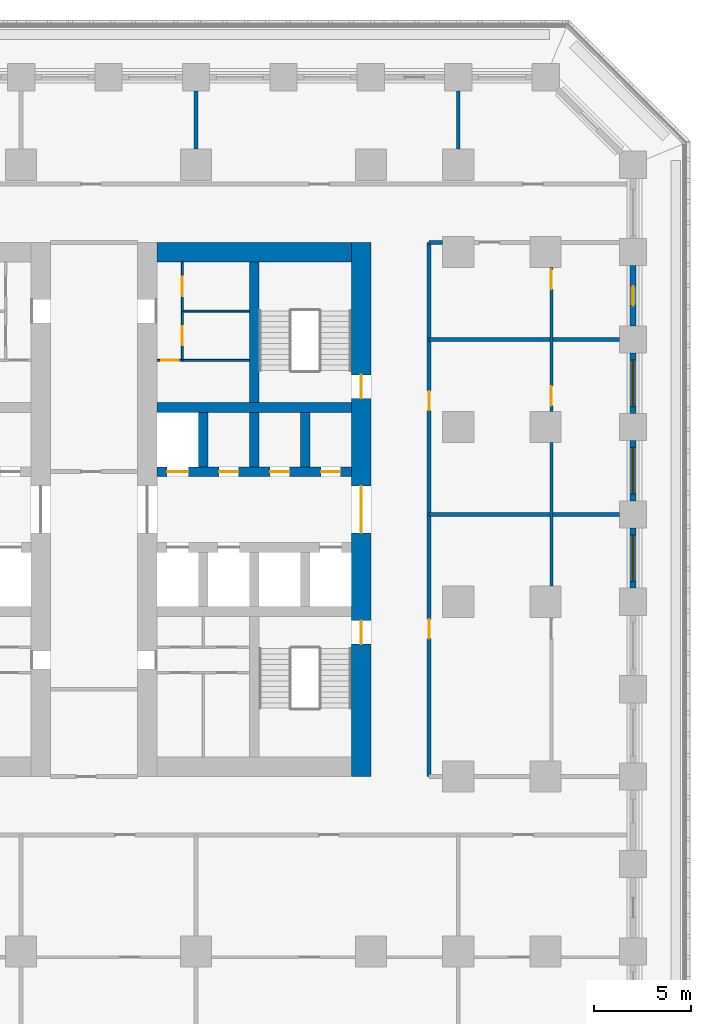
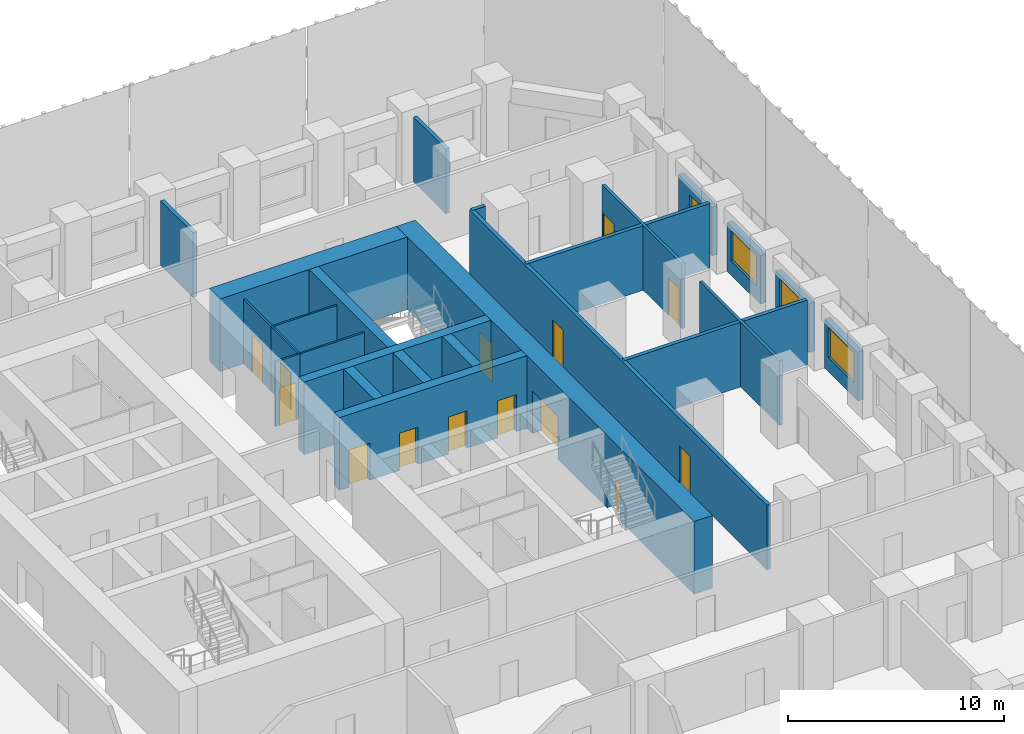
# One storey, part 7 of 14: 25 walls, 15 doors, 3 windows, 18 openings.
"""IFC4 building model written with IfcOpenShell, lengths in metres."""

from ifc_helpers import new_model, si_unit, direction, frame, frame_2d, origin, place, context, subcontext, project, spatial, rectangle, extrude, material, layer, layer_set, type_object, element, fill, save


model = new_model("IFC4")

# Units and contexts
model_context = context("Model", 3, precision=1e-05, world=origin(), true_north=direction((0.0, 1.0)))
body_context = subcontext(model_context, "Body", "Model", "MODEL_VIEW")
ifc_project = project(units=[si_unit("LENGTHUNIT", "METRE"), si_unit("AREAUNIT", "SQUARE_METRE"), si_unit("VOLUMEUNIT", "CUBIC_METRE"), si_unit("PLANEANGLEUNIT", "RADIAN"), si_unit("MASSUNIT", "GRAM", prefix="KILO")], contexts=[model_context])

# Site, building, storey
site_placement = place(None, origin())
site = spatial("IfcSite", under=ifc_project, at=site_placement, CompositionType="ELEMENT")
building_placement = place(site_placement, origin())
building = spatial("IfcBuilding", under=site, at=building_placement, Name="Corbel Stack Research Tower", CompositionType="ELEMENT")
storey_placement = place(building_placement, frame((0.0, 0.0, 58.300048828125)))
storey = spatial("IfcBuildingStorey", under=building, at=storey_placement, Name="L13", CompositionType="ELEMENT", Elevation=58.300048828125)

# Wall, openings, doors
ifc_material_1 = material(Name="Concrete C70/85", Category="concrete")
ifc_layer_1 = layer(ifc_material_1, 1.0)
ifc_layer_set_1 = layer_set([ifc_layer_1], Name="Concrete C70/85")
wall_type_1 = type_object("IfcWallType", Name="CW-1000-70", PredefinedType="SHEAR", material=ifc_layer_set_1)
wall_1_placement = place(storey_placement, frame((17.5, -9.0, 0.0), z_axis=(0.0, 0.0, 1.0), x_axis=(0.0, 1.0, 0.0)))
wall_1 = element("IfcWall", 1, at=wall_1_placement, inside=storey, type_object=wall_type_1, Name="East core wall, east face L13", PredefinedType="SHEAR", context=body_context, shape_type="SweptSolid", body=[
    extrude(rectangle(XDim=27.5, YDim=1.0, at=frame_2d((13.75, 0.0))), origin(), (0.0, 0.0, 1.0), 4.099853515625),
])
opening_1_placement = place(wall_1_placement, frame((12.550048828125, 0.0, 0.0)))
opening_1 = element("IfcOpeningElement", 2, at=opening_1_placement, cuts=wall_1, Name="Opening CD-E-E", PredefinedType="OPENING", context=body_context, shape_type="SweptSolid", body=[
    extrude(rectangle(XDim=2.39990234375, YDim=2.39990234375, at=frame_2d((1.199951171875, 1.199951171875))), frame((0.0, 0.510009765625, 0.0), z_axis=(0.0, -1.0, 0.0), x_axis=(1.0, 0.0, 0.0)), (0.0, 0.0, 1.0), 1.02001953125),
])
opening_2_placement = place(wall_1_placement, frame((6.824951171875, 0.0, 0.0)))
opening_2 = element("IfcOpeningElement", 3, at=opening_2_placement, cuts=wall_1, Name="Opening SD-ST-E1", PredefinedType="OPENING", context=body_context, shape_type="SweptSolid", body=[
    extrude(rectangle(XDim=1.199951171875, YDim=2.10009765625, at=frame_2d((0.60009765625, 1.050048828125))), frame((0.0, 0.510009765625, 0.0), z_axis=(0.0, -1.0, 0.0), x_axis=(1.0, 0.0, 0.0)), (0.0, 0.0, 1.0), 1.02001953125),
])
opening_3_placement = place(wall_1_placement, frame((19.47509765625, 0.0, 0.0)))
opening_3 = element("IfcOpeningElement", 4, at=opening_3_placement, cuts=wall_1, Name="Opening SD-ST-E2", PredefinedType="OPENING", context=body_context, shape_type="SweptSolid", body=[
    extrude(rectangle(XDim=1.199951171875, YDim=2.10009765625, at=frame_2d((0.60009765625, 1.050048828125))), frame((0.0, 0.510009765625, 0.0), z_axis=(0.0, -1.0, 0.0), x_axis=(1.0, 0.0, 0.0)), (0.0, 0.0, 1.0), 1.02001953125),
])
ifc_material_2 = material(Name="Painted steel fire door", Category="steel")
door_type_1 = type_object("IfcDoorType", Name="Lobby door pair 2400 x 2400 FD30S", OperationType="DOUBLE_DOOR_DOUBLE_SWING", PredefinedType="DOOR", material=ifc_material_2)
door_1_placement = place(opening_1_placement, origin())
door_1 = element("IfcDoor", 5, at=door_1_placement, inside=storey, type_object=door_type_1, Name="Lift lobby door E core E", OperationType="DOUBLE_DOOR_DOUBLE_SWING", OverallHeight=2.39990234375, OverallWidth=2.39990234375, PredefinedType="DOOR", context=body_context, shape_type="SweptSolid", body=[
    extrude(rectangle(XDim=2.39990234375, YDim=2.39990234375, at=frame_2d((1.199951171875, 1.199951171875))), frame((0.0, 0.02490234375, 0.0), z_axis=(0.0, -1.0, 0.0), x_axis=(1.0, 0.0, 0.0)), (0.0, 0.0, 1.0), 0.050048828125),
])
fill(opening_1, door_1)
ifc_material_3 = material(Name="Painted steel fire door", Category="steel")
door_type_2 = type_object("IfcDoorType", Name="Stair door 1200 x 2100 FD90 right hand", OperationType="SINGLE_SWING_RIGHT", PredefinedType="DOOR", material=ifc_material_3)
door_2_placement = place(opening_2_placement, frame((1.199951171875, 0.0, 0.0), z_axis=(0.0, 0.0, 1.0), x_axis=(-1.0, 0.0, 0.0)))
door_2 = element("IfcDoor", 6, at=door_2_placement, inside=storey, type_object=door_type_2, Name="Stair door ST-E1", OperationType="SINGLE_SWING_LEFT", OverallHeight=2.10009765625, OverallWidth=1.199951171875, PredefinedType="DOOR", context=body_context, shape_type="SweptSolid", body=[
    extrude(rectangle(XDim=1.199951171875, YDim=2.10009765625, at=frame_2d((0.60009765625, 1.050048828125))), frame((0.0, 0.02490234375, 0.0), z_axis=(0.0, -1.0, 0.0), x_axis=(1.0, 0.0, 0.0)), (0.0, 0.0, 1.0), 0.050048828125),
])
fill(opening_2, door_2)
door_3_placement = place(opening_3_placement, frame((1.199951171875, 0.0, 0.0), z_axis=(0.0, 0.0, 1.0), x_axis=(-1.0, 0.0, 0.0)))
door_3 = element("IfcDoor", 7, at=door_3_placement, inside=storey, type_object=door_type_2, Name="Stair door ST-E2", OperationType="SINGLE_SWING_LEFT", OverallHeight=2.10009765625, OverallWidth=1.199951171875, PredefinedType="DOOR", context=body_context, shape_type="SweptSolid", body=[
    extrude(rectangle(XDim=1.199951171875, YDim=2.10009765625, at=frame_2d((0.60009765625, 1.050048828125))), frame((0.0, 0.02490234375, 0.0), z_axis=(0.0, -1.0, 0.0), x_axis=(1.0, 0.0, 0.0)), (0.0, 0.0, 1.0), 0.050048828125),
])
fill(opening_3, door_3)

# Wall
wall_2_placement = place(storey_placement, frame((7.0, 18.0, 0.0), z_axis=(0.0, 0.0, 1.0), x_axis=(1.0, 0.0, 0.0)))
element("IfcWall", 8, at=wall_2_placement, inside=storey, type_object=wall_type_1, Name="East core wall, north end L13", PredefinedType="SHEAR", context=body_context, shape_type="SweptSolid", body=[
    extrude(rectangle(XDim=10.0, YDim=1.0, at=frame_2d((5.0, 0.0))), origin(), (0.0, 0.0, 1.0), 4.099853515625),
])

# Wall, openings, doors
ifc_material_4 = material(Name="Concrete C70/85", Category="concrete")
ifc_layer_2 = layer(ifc_material_4, 0.5)
ifc_layer_set_2 = layer_set([ifc_layer_2], Name="Concrete C70/85")
wall_type_2 = type_object("IfcWallType", Name="CW-500-70", PredefinedType="SHEAR", material=ifc_layer_set_2)
wall_3_placement = place(storey_placement, frame((7.0, 6.699951171875, 0.0), z_axis=(0.0, 0.0, 1.0), x_axis=(1.0, 0.0, 0.0)))
wall_3 = element("IfcWall", 9, at=wall_3_placement, inside=storey, type_object=wall_type_2, Name="East core wall, lobby north L13", PredefinedType="SHEAR", context=body_context, shape_type="SweptSolid", body=[
    extrude(rectangle(XDim=10.0, YDim=0.5, at=frame_2d((5.0, 0.0))), origin(), (0.0, 0.0, 1.0), 4.099853515625),
])
opening_4_placement = place(wall_3_placement, frame((0.512451171875, 0.0, 0.0)))
opening_4 = element("IfcOpeningElement", 10, at=opening_4_placement, cuts=wall_3, Name="Opening LD-LR4", PredefinedType="OPENING", context=body_context, shape_type="SweptSolid", body=[
    extrude(rectangle(XDim=1.10009765625, YDim=2.10009765625, at=frame_2d((0.550048828125, 1.050048828125))), frame((0.0, 0.260009765625, 0.0), z_axis=(0.0, -1.0, 0.0), x_axis=(1.0, 0.0, 0.0)), (0.0, 0.0, 1.0), 0.52001953125),
])
opening_5_placement = place(wall_3_placement, frame((3.1875, 0.0, 0.0)))
opening_5 = element("IfcOpeningElement", 11, at=opening_5_placement, cuts=wall_3, Name="Opening CR-E54-N2", PredefinedType="OPENING", context=body_context, shape_type="SweptSolid", body=[
    extrude(rectangle(XDim=1.0, YDim=2.10009765625, at=frame_2d((0.5, 1.050048828125))), frame((0.0, 0.260009765625, 0.0), z_axis=(0.0, -1.0, 0.0), x_axis=(1.0, 0.0, 0.0)), (0.0, 0.0, 1.0), 0.52001953125),
])
opening_6_placement = place(wall_3_placement, frame((5.8125, 0.0, 0.0)))
opening_6 = element("IfcOpeningElement", 12, at=opening_6_placement, cuts=wall_3, Name="Opening CR-E54-N3", PredefinedType="OPENING", context=body_context, shape_type="SweptSolid", body=[
    extrude(rectangle(XDim=1.0, YDim=2.10009765625, at=frame_2d((0.5, 1.050048828125))), frame((0.0, 0.260009765625, 0.0), z_axis=(0.0, -1.0, 0.0), x_axis=(1.0, 0.0, 0.0)), (0.0, 0.0, 1.0), 0.52001953125),
])
opening_7_placement = place(wall_3_placement, frame((8.4375, 0.0, 0.0)))
opening_7 = element("IfcOpeningElement", 13, at=opening_7_placement, cuts=wall_3, Name="Opening CR-E54-N4", PredefinedType="OPENING", context=body_context, shape_type="SweptSolid", body=[
    extrude(rectangle(XDim=1.0, YDim=2.10009765625, at=frame_2d((0.5, 1.050048828125))), frame((0.0, 0.260009765625, 0.0), z_axis=(0.0, -1.0, 0.0), x_axis=(1.0, 0.0, 0.0)), (0.0, 0.0, 1.0), 0.52001953125),
])
ifc_material_5 = material(Name="Stainless steel landing door", Category="steel")
door_type_3 = type_object("IfcDoorType", Name="Lift landing door 1100 x 2100", OperationType="DOUBLE_DOOR_SLIDING", PredefinedType="DOOR", material=ifc_material_5)
door_4_placement = place(opening_4_placement, origin())
door_4 = element("IfcDoor", 14, at=door_4_placement, inside=storey, type_object=door_type_3, Name="Landing door LR4", OperationType="DOUBLE_DOOR_SLIDING", OverallHeight=2.10009765625, OverallWidth=1.10009765625, PredefinedType="DOOR", context=body_context, shape_type="SweptSolid", body=[
    extrude(rectangle(XDim=1.10009765625, YDim=2.10009765625, at=frame_2d((0.550048828125, 1.050048828125))), frame((0.0, 0.02490234375, 0.0), z_axis=(0.0, -1.0, 0.0), x_axis=(1.0, 0.0, 0.0)), (0.0, 0.0, 1.0), 0.050048828125),
])
fill(opening_4, door_4)
ifc_material_6 = material(Name="Painted steel door", Category="steel")
door_type_4 = type_object("IfcDoorType", Name="Service door 1000 x 2100 FD60 left hand", OperationType="SINGLE_SWING_LEFT", PredefinedType="DOOR", material=ifc_material_6)
door_5_placement = place(opening_6_placement, origin())
door_5 = element("IfcDoor", 15, at=door_5_placement, inside=storey, type_object=door_type_4, Name="Vending bay door E core", OperationType="SINGLE_SWING_LEFT", OverallHeight=2.10009765625, OverallWidth=1.0, PredefinedType="DOOR", context=body_context, shape_type="SweptSolid", body=[
    extrude(rectangle(XDim=1.0, YDim=2.10009765625, at=frame_2d((0.5, 1.050048828125))), frame((0.0, 0.02490234375, 0.0), z_axis=(0.0, -1.0, 0.0), x_axis=(1.0, 0.0, 0.0)), (0.0, 0.0, 1.0), 0.050048828125),
])
fill(opening_6, door_5)
ifc_material_7 = material(Name="Painted steel door", Category="steel")
door_type_5 = type_object("IfcDoorType", Name="Service door 1000 x 2100 FD60 right hand", OperationType="SINGLE_SWING_RIGHT", PredefinedType="DOOR", material=ifc_material_7)
door_6_placement = place(opening_5_placement, origin())
door_6 = element("IfcDoor", 16, at=door_6_placement, inside=storey, type_object=door_type_5, Name="Cleaner's store door E core", OperationType="SINGLE_SWING_RIGHT", OverallHeight=2.10009765625, OverallWidth=1.0, PredefinedType="DOOR", context=body_context, shape_type="SweptSolid", body=[
    extrude(rectangle(XDim=1.0, YDim=2.10009765625, at=frame_2d((0.5, 1.050048828125))), frame((0.0, 0.02490234375, 0.0), z_axis=(0.0, -1.0, 0.0), x_axis=(1.0, 0.0, 0.0)), (0.0, 0.0, 1.0), 0.050048828125),
])
fill(opening_5, door_6)
door_7_placement = place(opening_7_placement, origin())
door_7 = element("IfcDoor", 17, at=door_7_placement, inside=storey, type_object=door_type_5, Name="Mechanical room door E core", OperationType="SINGLE_SWING_RIGHT", OverallHeight=2.10009765625, OverallWidth=1.0, PredefinedType="DOOR", context=body_context, shape_type="SweptSolid", body=[
    extrude(rectangle(XDim=1.0, YDim=2.10009765625, at=frame_2d((0.5, 1.050048828125))), frame((0.0, 0.02490234375, 0.0), z_axis=(0.0, -1.0, 0.0), x_axis=(1.0, 0.0, 0.0)), (0.0, 0.0, 1.0), 0.050048828125),
])
fill(opening_7, door_7)

# Walls
wall_4_placement = place(storey_placement, frame((7.0, 10.0, 0.0), z_axis=(0.0, 0.0, 1.0), x_axis=(1.0, 0.0, 0.0)))
element("IfcWall", 18, at=wall_4_placement, inside=storey, type_object=wall_type_2, Name="East core wall, north row back L13", PredefinedType="SHEAR", context=body_context, shape_type="SweptSolid", body=[
    extrude(rectangle(XDim=10.0, YDim=0.5, at=frame_2d((5.0, 0.0))), origin(), (0.0, 0.0, 1.0), 4.099853515625),
])
for number, where, z_axis, x_axis, name in (
    (19, (9.375, 6.949951171875, 0.0), (0.0, 0.0, 1.0), (0.0, 1.0, 0.0), "East core wall, north shaft 1 L13"),
    (20, (12.0, 6.949951171875, 0.0), (0.0, 0.0, 1.0), (0.0, 1.0, 0.0), "East core wall, north shaft 2 L13"),
    (21, (14.625, 6.949951171875, 0.0), (0.0, 0.0, 1.0), (0.0, 1.0, 0.0), "East core wall, north shaft 3 L13"),
):
    element("IfcWall", number, at=place(storey_placement, frame(where, z_axis=z_axis, x_axis=x_axis)), inside=storey, type_object=wall_type_2, Name=name, PredefinedType="SHEAR", context=body_context, shape_type="SweptSolid", body=[
        extrude(rectangle(XDim=2.800048828125, YDim=0.5, at=frame_2d((1.39990234375, 0.0))), origin(), (0.0, 0.0, 1.0), 4.099853515625),
    ])
wall_5_placement = place(storey_placement, frame((12.0, 10.25, 0.0), z_axis=(0.0, 0.0, 1.0), x_axis=(0.0, 1.0, 0.0)))
element("IfcWall", 22, at=wall_5_placement, inside=storey, type_object=wall_type_2, Name="East core wall, north stair and riser L13", PredefinedType="SHEAR", context=body_context, shape_type="SweptSolid", body=[
    extrude(rectangle(XDim=7.25, YDim=0.5, at=frame_2d((3.625, 0.0))), origin(), (0.0, 0.0, 1.0), 4.099853515625),
])

# Wall, opening, door
ifc_material_8 = material(Name="Gypsum board")
ifc_layer_3 = layer(ifc_material_8, 0.10009765625)
ifc_layer_set_3 = layer_set([ifc_layer_3], Name="Gypsum board")
wall_type_3 = type_object("IfcWallType", Name="Core partition 100", PredefinedType="PARTITIONING", material=ifc_layer_set_3)
wall_6_placement = place(storey_placement, frame((7.0, 12.425048828125, 0.0), z_axis=(0.0, 0.0, 1.0), x_axis=(1.0, 0.0, 0.0)))
wall_6 = element("IfcWall", 23, at=wall_6_placement, inside=storey, type_object=wall_type_3, Name="Core partition E", PredefinedType="PARTITIONING", context=body_context, shape_type="SweptSolid", body=[
    extrude(rectangle(XDim=1.300048828125, YDim=0.10009765625, at=frame_2d((0.64990234375, 0.0))), origin(), (0.0, 0.0, 1.0), 3.64990234375),
])
opening_8_placement = place(wall_6_placement, frame((0.199951171875, 0.0, 0.0)))
opening_8 = element("IfcOpeningElement", 24, at=opening_8_placement, cuts=wall_6, Name="Opening CR-E54-R1-900", PredefinedType="OPENING", context=body_context, shape_type="SweptSolid", body=[
    extrude(rectangle(XDim=0.89990234375, YDim=2.10009765625, at=frame_2d((0.449951171875, 1.050048828125))), frame((0.0, 0.06005859375, 0.0), z_axis=(0.0, -1.0, 0.0), x_axis=(1.0, 0.0, 0.0)), (0.0, 0.0, 1.0), 0.1201171875),
])
ifc_material_9 = material(Name="Painted steel door", Category="steel")
door_type_6 = type_object("IfcDoorType", Name="Riser door 900 x 2100 FD60 right hand", OperationType="SINGLE_SWING_RIGHT", PredefinedType="DOOR", material=ifc_material_9)
door_8_placement = place(opening_8_placement, origin())
door_8 = element("IfcDoor", 25, at=door_8_placement, inside=storey, type_object=door_type_6, Name="Electrical riser door E core", OperationType="SINGLE_SWING_RIGHT", OverallHeight=2.10009765625, OverallWidth=0.89990234375, PredefinedType="DOOR", context=body_context, shape_type="SweptSolid", body=[
    extrude(rectangle(XDim=0.89990234375, YDim=2.10009765625, at=frame_2d((0.449951171875, 1.050048828125))), frame((0.0, 0.02490234375, 0.0), z_axis=(0.0, -1.0, 0.0), x_axis=(1.0, 0.0, 0.0)), (0.0, 0.0, 1.0), 0.050048828125),
])
fill(opening_8, door_8)

# Wall
wall_7_placement = place(storey_placement, frame((8.300048828125, 12.425048828125, 0.0), z_axis=(0.0, 0.0, 1.0), x_axis=(1.0, 0.0, 0.0)))
element("IfcWall", 26, at=wall_7_placement, inside=storey, type_object=wall_type_3, Name="Core partition E", PredefinedType="PARTITIONING", context=body_context, shape_type="SweptSolid", body=[
    extrude(rectangle(XDim=3.449951171875, YDim=0.10009765625, at=frame_2d((1.72509765625, 0.0))), origin(), (0.0, 0.0, 1.0), 3.64990234375),
])

# Wall, opening, door
wall_8_placement = place(storey_placement, frame((8.300048828125, 12.425048828125, 0.0), z_axis=(0.0, 0.0, 1.0), x_axis=(0.0, 1.0, 0.0)))
wall_8 = element("IfcWall", 27, at=wall_8_placement, inside=storey, type_object=wall_type_3, Name="Core partition E", PredefinedType="PARTITIONING", context=body_context, shape_type="SweptSolid", body=[
    extrude(rectangle(XDim=2.537353515625, YDim=0.10009765625, at=frame_2d((1.2685546875, 0.0))), origin(), (0.0, 0.0, 1.0), 3.64990234375),
])
opening_9_placement = place(wall_8_placement, frame((0.768798828125, 0.0, 0.0)))
opening_9 = element("IfcOpeningElement", 28, at=opening_9_placement, cuts=wall_8, Name="Opening CR-E54-R3-1000", PredefinedType="OPENING", context=body_context, shape_type="SweptSolid", body=[
    extrude(rectangle(XDim=1.0, YDim=2.10009765625, at=frame_2d((0.5, 1.050048828125))), frame((0.0, 0.06005859375, 0.0), z_axis=(0.0, -1.0, 0.0), x_axis=(1.0, 0.0, 0.0)), (0.0, 0.0, 1.0), 0.1201171875),
])
ifc_material_10 = material(Name="Painted steel door", Category="steel")
door_type_7 = type_object("IfcDoorType", Name="Service door 1000 x 2100 FD30 right hand", OperationType="SINGLE_SWING_RIGHT", PredefinedType="DOOR", material=ifc_material_10)
door_9_placement = place(opening_9_placement, origin())
door_9 = element("IfcDoor", 29, at=door_9_placement, inside=storey, type_object=door_type_7, Name="Pantry door E core", OperationType="SINGLE_SWING_RIGHT", OverallHeight=2.10009765625, OverallWidth=1.0, PredefinedType="DOOR", context=body_context, shape_type="SweptSolid", body=[
    extrude(rectangle(XDim=1.0, YDim=2.10009765625, at=frame_2d((0.5, 1.050048828125))), frame((0.0, 0.02490234375, 0.0), z_axis=(0.0, -1.0, 0.0), x_axis=(1.0, 0.0, 0.0)), (0.0, 0.0, 1.0), 0.050048828125),
])
fill(opening_9, door_9)

wall_9_placement = place(storey_placement, frame((8.300048828125, 14.96240234375, 0.0), z_axis=(0.0, 0.0, 1.0), x_axis=(0.0, 1.0, 0.0)))
wall_9 = element("IfcWall", 30, at=wall_9_placement, inside=storey, type_object=wall_type_3, Name="Core partition E", PredefinedType="PARTITIONING", context=body_context, shape_type="SweptSolid", body=[
    extrude(rectangle(XDim=2.53759765625, YDim=0.10009765625, at=frame_2d((1.268798828125, 0.0))), origin(), (0.0, 0.0, 1.0), 3.64990234375),
])
opening_10_placement = place(wall_9_placement, frame((0.768798828125, 0.0, 0.0)))
opening_10 = element("IfcOpeningElement", 31, at=opening_10_placement, cuts=wall_9, Name="Opening CR-E54-R4-1000", PredefinedType="OPENING", context=body_context, shape_type="SweptSolid", body=[
    extrude(rectangle(XDim=1.0, YDim=2.10009765625, at=frame_2d((0.5, 1.050048828125))), frame((0.0, 0.06005859375, 0.0), z_axis=(0.0, -1.0, 0.0), x_axis=(1.0, 0.0, 0.0)), (0.0, 0.0, 1.0), 0.1201171875),
])
ifc_material_11 = material(Name="Painted steel door", Category="steel")
door_type_8 = type_object("IfcDoorType", Name="Service door 1000 x 2100 FD30 left hand", OperationType="SINGLE_SWING_LEFT", PredefinedType="DOOR", material=ifc_material_11)
door_10_placement = place(opening_10_placement, origin())
door_10 = element("IfcDoor", 32, at=door_10_placement, inside=storey, type_object=door_type_8, Name="Copy and supply store door E core", OperationType="SINGLE_SWING_LEFT", OverallHeight=2.10009765625, OverallWidth=1.0, PredefinedType="DOOR", context=body_context, shape_type="SweptSolid", body=[
    extrude(rectangle(XDim=1.0, YDim=2.10009765625, at=frame_2d((0.5, 1.050048828125))), frame((0.0, 0.02490234375, 0.0), z_axis=(0.0, -1.0, 0.0), x_axis=(1.0, 0.0, 0.0)), (0.0, 0.0, 1.0), 0.050048828125),
])
fill(opening_10, door_10)

# Walls
wall_10_placement = place(storey_placement, frame((8.300048828125, 14.96240234375, 0.0), z_axis=(0.0, 0.0, 1.0), x_axis=(1.0, 0.0, 0.0)))
element("IfcWall", 33, at=wall_10_placement, inside=storey, type_object=wall_type_3, Name="Core partition E", PredefinedType="PARTITIONING", context=body_context, shape_type="SweptSolid", body=[
    extrude(rectangle(XDim=3.449951171875, YDim=0.10009765625, at=frame_2d((1.72509765625, 0.0))), origin(), (0.0, 0.0, 1.0), 3.64990234375),
])
ifc_material_12 = material(Name="Fire-rated gypsum board partition on steel studs", Category="steel")
ifc_layer_4 = layer(ifc_material_12, 0.199951171875)
ifc_layer_set_4 = layer_set([ifc_layer_4], Name="Fire-rated gypsum board partition on steel studs")
wall_type_4 = type_object("IfcWallType", Name="Fire-rated partition 200 EI 60", PredefinedType="PARTITIONING", material=ifc_layer_set_4)
wall_11_placement = place(storey_placement, frame((9.0, 23.300048828125, 0.0), z_axis=(0.0, 0.0, 1.0), x_axis=(0.0, 1.0, 0.0)))
element("IfcWall", 34, at=wall_11_placement, inside=storey, type_object=wall_type_4, Name="Partition L13-010", PredefinedType="PARTITIONING", context=body_context, shape_type="SweptSolid", body=[
    extrude(rectangle(XDim=3.0, YDim=0.199951171875, at=frame_2d((1.5, 0.0))), origin(), (0.0, 0.0, 1.0), 3.64990234375),
])

# Wall, openings, doors
wall_12_placement = place(storey_placement, frame((21.0, 18.5, 0.0), z_axis=(0.0, 0.0, 1.0), x_axis=(0.0, -1.0, 0.0)))
wall_12 = element("IfcWall", 35, at=wall_12_placement, inside=storey, type_object=wall_type_4, Name="Partition L13-011", PredefinedType="PARTITIONING", context=body_context, shape_type="SweptSolid", body=[
    extrude(rectangle(XDim=27.5, YDim=0.199951171875, at=frame_2d((13.75, 0.0))), origin(), (0.0, 0.0, 1.0), 3.64990234375),
])
opening_11_placement = place(wall_12_placement, frame((19.39990234375, 0.0, 0.0)))
opening_11 = element("IfcOpeningElement", 36, at=opening_11_placement, cuts=wall_12, Name="Opening B2V2-017", PredefinedType="OPENING", context=body_context, shape_type="SweptSolid", body=[
    extrude(rectangle(XDim=1.0, YDim=2.10009765625, at=frame_2d((0.5, 1.050048828125))), frame((0.0, 0.10986328125, 0.0), z_axis=(0.0, -1.0, 0.0), x_axis=(1.0, 0.0, 0.0)), (0.0, 0.0, 1.0), 0.219970703125),
])
opening_12_placement = place(wall_12_placement, frame((7.64990234375, 0.0, 0.0)))
opening_12 = element("IfcOpeningElement", 37, at=opening_12_placement, cuts=wall_12, Name="Opening B2V2-018", PredefinedType="OPENING", context=body_context, shape_type="SweptSolid", body=[
    extrude(rectangle(XDim=1.0, YDim=2.10009765625, at=frame_2d((0.5, 1.050048828125))), frame((0.0, 0.10986328125, 0.0), z_axis=(0.0, -1.0, 0.0), x_axis=(1.0, 0.0, 0.0)), (0.0, 0.0, 1.0), 0.219970703125),
])
ifc_material_13 = material(Name="Painted steel fire door", Category="steel")
door_type_9 = type_object("IfcDoorType", Name="Fire door FD30S 1000 x 2100", OperationType="NOTDEFINED", PredefinedType="DOOR", material=ifc_material_13)
door_11_placement = place(opening_11_placement, origin())
door_11 = element("IfcDoor", 38, at=door_11_placement, inside=storey, type_object=door_type_9, Name="Door B2V2-017", OperationType="SINGLE_SWING_RIGHT", OverallHeight=2.10009765625, OverallWidth=1.0, PredefinedType="DOOR", context=body_context, shape_type="SweptSolid", body=[
    extrude(rectangle(XDim=1.0, YDim=2.10009765625, at=frame_2d((0.5, 1.050048828125))), frame((0.0, 0.02490234375, 0.0), z_axis=(0.0, -1.0, 0.0), x_axis=(1.0, 0.0, 0.0)), (0.0, 0.0, 1.0), 0.050048828125),
])
fill(opening_11, door_11)
door_12_placement = place(opening_12_placement, origin())
door_12 = element("IfcDoor", 39, at=door_12_placement, inside=storey, type_object=door_type_9, Name="Door B2V2-018", OperationType="SINGLE_SWING_LEFT", OverallHeight=2.10009765625, OverallWidth=1.0, PredefinedType="DOOR", context=body_context, shape_type="SweptSolid", body=[
    extrude(rectangle(XDim=1.0, YDim=2.10009765625, at=frame_2d((0.5, 1.050048828125))), frame((0.0, 0.02490234375, 0.0), z_axis=(0.0, -1.0, 0.0), x_axis=(1.0, 0.0, 0.0)), (0.0, 0.0, 1.0), 0.050048828125),
])
fill(opening_12, door_12)

# Walls
wall_13_placement = place(storey_placement, frame((22.5, 23.300048828125, 0.0), z_axis=(0.0, 0.0, 1.0), x_axis=(0.0, 1.0, 0.0)))
element("IfcWall", 40, at=wall_13_placement, inside=storey, type_object=wall_type_4, Name="Partition L13-014", PredefinedType="PARTITIONING", context=body_context, shape_type="SweptSolid", body=[
    extrude(rectangle(XDim=3.0, YDim=0.199951171875, at=frame_2d((1.5, 0.0))), origin(), (0.0, 0.0, 1.0), 3.64990234375),
])
for number, where, z_axis, x_axis, name in (
    (41, (21.0, 4.5, 0.0), (0.0, 0.0, 1.0), (1.0, 0.0, 0.0), "Partition L13-035"),
    (42, (21.0, 13.5, 0.0), (0.0, 0.0, 1.0), (1.0, 0.0, 0.0), "Partition L13-038"),
):
    element("IfcWall", number, at=place(storey_placement, frame(where, z_axis=z_axis, x_axis=x_axis)), inside=storey, type_object=wall_type_4, Name=name, PredefinedType="PARTITIONING", context=body_context, shape_type="SweptSolid", body=[
        extrude(rectangle(XDim=9.800048828125, YDim=0.199951171875, at=frame_2d((4.89990234375, 0.0))), origin(), (0.0, 0.0, 1.0), 3.64990234375),
    ])
wall_14_placement = place(storey_placement, frame((21.0, 18.5, 0.0), z_axis=(0.0, 0.0, 1.0), x_axis=(1.0, 0.0, 0.0)))
element("IfcWall", 43, at=wall_14_placement, inside=storey, type_object=wall_type_4, Name="Partition L13-042", PredefinedType="PARTITIONING", context=body_context, shape_type="SweptSolid", body=[
    extrude(rectangle(XDim=0.699951171875, YDim=0.199951171875, at=frame_2d((0.35009765625, 0.0))), origin(), (0.0, 0.0, 1.0), 3.64990234375),
])
ifc_material_14 = material(Name="Gypsum board partition on steel studs", Category="steel")
ifc_layer_5 = layer(ifc_material_14, 0.14990234375)
ifc_layer_set_5 = layer_set([ifc_layer_5], Name="Gypsum board partition on steel studs")
wall_type_5 = type_object("IfcWallType", Name="Partition 150", PredefinedType="PARTITIONING", material=ifc_layer_set_5)
wall_15_placement = place(storey_placement, frame((27.300048828125, 0.800048828125, 0.0), z_axis=(0.0, 0.0, 1.0), x_axis=(0.0, 1.0, 0.0)))
element("IfcWall", 44, at=wall_15_placement, inside=storey, type_object=wall_type_5, Name="Partition L13-016", PredefinedType="PARTITIONING", context=body_context, shape_type="SweptSolid", body=[
    extrude(rectangle(XDim=7.39990234375, YDim=0.14990234375, at=frame_2d((3.699951171875, 0.0))), origin(), (0.0, 0.0, 1.0), 3.64990234375),
])

# Wall, openings, doors
wall_16_placement = place(storey_placement, frame((27.300048828125, 17.199951171875, 0.0), z_axis=(0.0, 0.0, 1.0), x_axis=(0.0, -1.0, 0.0)))
wall_16 = element("IfcWall", 45, at=wall_16_placement, inside=storey, type_object=wall_type_5, Name="Partition L13-017", PredefinedType="PARTITIONING", context=body_context, shape_type="SweptSolid", body=[
    extrude(rectangle(XDim=7.39990234375, YDim=0.14990234375, at=frame_2d((3.699951171875, 0.0))), origin(), (0.0, 0.0, 1.0), 3.64990234375),
])
opening_13_placement = place(wall_16_placement, frame((6.10009765625, 0.0, 0.0)))
opening_13 = element("IfcOpeningElement", 46, at=opening_13_placement, cuts=wall_16, Name="Opening B2V2-025", PredefinedType="OPENING", context=body_context, shape_type="SweptSolid", body=[
    extrude(rectangle(XDim=1.0, YDim=2.10009765625, at=frame_2d((0.5, 1.050048828125))), frame((0.0, 0.0849609375, 0.0), z_axis=(0.0, -1.0, 0.0), x_axis=(1.0, 0.0, 0.0)), (0.0, 0.0, 1.0), 0.169921875),
])
opening_14_placement = place(wall_16_placement, frame((0.10009765625, 0.0, 0.0)))
opening_14 = element("IfcOpeningElement", 47, at=opening_14_placement, cuts=wall_16, Name="Opening B2V2-026", PredefinedType="OPENING", context=body_context, shape_type="SweptSolid", body=[
    extrude(rectangle(XDim=1.0, YDim=2.10009765625, at=frame_2d((0.5, 1.050048828125))), frame((0.0, 0.0849609375, 0.0), z_axis=(0.0, -1.0, 0.0), x_axis=(1.0, 0.0, 0.0)), (0.0, 0.0, 1.0), 0.169921875),
])
ifc_material_15 = material(Name="Painted timber door", Category="wood")
door_type_10 = type_object("IfcDoorType", Name="Single door 1000 x 2100", OperationType="NOTDEFINED", PredefinedType="DOOR", material=ifc_material_15)
door_13_placement = place(opening_13_placement, origin())
door_13 = element("IfcDoor", 48, at=door_13_placement, inside=storey, type_object=door_type_10, Name="Door B2V2-025", OperationType="SINGLE_SWING_RIGHT", OverallHeight=2.10009765625, OverallWidth=1.0, PredefinedType="DOOR", context=body_context, shape_type="SweptSolid", body=[
    extrude(rectangle(XDim=1.0, YDim=2.10009765625, at=frame_2d((0.5, 1.050048828125))), frame((0.0, 0.02490234375, 0.0), z_axis=(0.0, -1.0, 0.0), x_axis=(1.0, 0.0, 0.0)), (0.0, 0.0, 1.0), 0.050048828125),
])
fill(opening_13, door_13)
door_14_placement = place(opening_14_placement, origin())
door_14 = element("IfcDoor", 49, at=door_14_placement, inside=storey, type_object=door_type_10, Name="Door B2V2-026", OperationType="SINGLE_SWING_LEFT", OverallHeight=2.10009765625, OverallWidth=1.0, PredefinedType="DOOR", context=body_context, shape_type="SweptSolid", body=[
    extrude(rectangle(XDim=1.0, YDim=2.10009765625, at=frame_2d((0.5, 1.050048828125))), frame((0.0, 0.02490234375, 0.0), z_axis=(0.0, -1.0, 0.0), x_axis=(1.0, 0.0, 0.0)), (0.0, 0.0, 1.0), 0.050048828125),
])
fill(opening_14, door_14)

# Wall, opening, window
ifc_material_16 = material(Name="Concrete C45/55", Category="concrete")
ifc_layer_6 = layer(ifc_material_16, 0.300048828125)
ifc_layer_set_6 = layer_set([ifc_layer_6], Name="Concrete C45/55")
wall_type_6 = type_object("IfcWallType", Name="Terracotta-faced concrete wall 300", PredefinedType="SOLIDWALL", material=ifc_layer_set_6)
wall_17_placement = place(storey_placement, frame((31.5, 3.800048828125, 0.0), z_axis=(0.0, 0.0, 1.0), x_axis=(0.0, -1.0, 0.0)))
wall_17 = element("IfcWall", 50, at=wall_17_placement, inside=storey, type_object=wall_type_6, Name="Facade wall L13 E06", PredefinedType="SOLIDWALL", context=body_context, shape_type="SweptSolid", body=[
    extrude(rectangle(XDim=3.10009765625, YDim=0.300048828125, at=frame_2d((1.550048828125, 0.0))), origin(), (0.0, 0.0, 1.0), 2.75),
])
opening_15_placement = place(wall_17_placement, frame((0.35009765625, 0.0, 0.800048828125)))
opening_15 = element("IfcOpeningElement", 51, at=opening_15_placement, cuts=wall_17, Name="Opening W1", PredefinedType="OPENING", context=body_context, shape_type="SweptSolid", body=[
    extrude(rectangle(XDim=2.39990234375, YDim=1.699951171875, at=frame_2d((1.199951171875, 0.85009765625))), frame((0.0, 0.159912109375, 0.0), z_axis=(0.0, -1.0, 0.0), x_axis=(1.0, 0.0, 0.0)), (0.0, 0.0, 1.0), 0.320068359375),
])
ifc_material_17 = material(Name="Aluminium frame, clear double glazing", Category="aluminium")
window_type = type_object("IfcWindowType", Name="Window W1 2400 x 1700", PartitioningType="SINGLE_PANEL", PredefinedType="WINDOW", material=ifc_material_17)
window_1_placement = place(opening_15_placement, origin())
window_1 = element("IfcWindow", 52, at=window_1_placement, inside=storey, type_object=window_type, Name="Window W1 L13 E06", OverallHeight=1.699951171875, OverallWidth=2.39990234375, PartitioningType="SINGLE_PANEL", PredefinedType="WINDOW", context=body_context, shape_type="SweptSolid", body=[
    extrude(rectangle(XDim=2.39990234375, YDim=1.699951171875, at=frame_2d((1.199951171875, 0.85009765625))), frame((0.0, 0.030029296875, 0.0), z_axis=(0.0, -1.0, 0.0), x_axis=(1.0, 0.0, 0.0)), (0.0, 0.0, 1.0), 0.06005859375),
])
fill(opening_15, window_1)

wall_18_placement = place(storey_placement, frame((31.5, 8.300048828125, 0.0), z_axis=(0.0, 0.0, 1.0), x_axis=(0.0, -1.0, 0.0)))
wall_18 = element("IfcWall", 53, at=wall_18_placement, inside=storey, type_object=wall_type_6, Name="Facade wall L13 E07", PredefinedType="SOLIDWALL", context=body_context, shape_type="SweptSolid", body=[
    extrude(rectangle(XDim=3.10009765625, YDim=0.300048828125, at=frame_2d((1.550048828125, 0.0))), origin(), (0.0, 0.0, 1.0), 2.75),
])
opening_16_placement = place(wall_18_placement, frame((0.35009765625, 0.0, 0.800048828125)))
opening_16 = element("IfcOpeningElement", 54, at=opening_16_placement, cuts=wall_18, Name="Opening W1", PredefinedType="OPENING", context=body_context, shape_type="SweptSolid", body=[
    extrude(rectangle(XDim=2.39990234375, YDim=1.699951171875, at=frame_2d((1.199951171875, 0.85009765625))), frame((0.0, 0.159912109375, 0.0), z_axis=(0.0, -1.0, 0.0), x_axis=(1.0, 0.0, 0.0)), (0.0, 0.0, 1.0), 0.320068359375),
])
window_2_placement = place(opening_16_placement, origin())
window_2 = element("IfcWindow", 55, at=window_2_placement, inside=storey, type_object=window_type, Name="Window W1 L13 E07", OverallHeight=1.699951171875, OverallWidth=2.39990234375, PartitioningType="SINGLE_PANEL", PredefinedType="WINDOW", context=body_context, shape_type="SweptSolid", body=[
    extrude(rectangle(XDim=2.39990234375, YDim=1.699951171875, at=frame_2d((1.199951171875, 0.85009765625))), frame((0.0, 0.030029296875, 0.0), z_axis=(0.0, -1.0, 0.0), x_axis=(1.0, 0.0, 0.0)), (0.0, 0.0, 1.0), 0.06005859375),
])
fill(opening_16, window_2)

wall_19_placement = place(storey_placement, frame((31.5, 12.800048828125, 0.0), z_axis=(0.0, 0.0, 1.0), x_axis=(0.0, -1.0, 0.0)))
wall_19 = element("IfcWall", 56, at=wall_19_placement, inside=storey, type_object=wall_type_6, Name="Facade wall L13 E08", PredefinedType="SOLIDWALL", context=body_context, shape_type="SweptSolid", body=[
    extrude(rectangle(XDim=3.10009765625, YDim=0.300048828125, at=frame_2d((1.550048828125, 0.0))), origin(), (0.0, 0.0, 1.0), 2.75),
])
opening_17_placement = place(wall_19_placement, frame((0.35009765625, 0.0, 0.800048828125)))
opening_17 = element("IfcOpeningElement", 57, at=opening_17_placement, cuts=wall_19, Name="Opening W1", PredefinedType="OPENING", context=body_context, shape_type="SweptSolid", body=[
    extrude(rectangle(XDim=2.39990234375, YDim=1.699951171875, at=frame_2d((1.199951171875, 0.85009765625))), frame((0.0, 0.159912109375, 0.0), z_axis=(0.0, -1.0, 0.0), x_axis=(1.0, 0.0, 0.0)), (0.0, 0.0, 1.0), 0.320068359375),
])
window_3_placement = place(opening_17_placement, origin())
window_3 = element("IfcWindow", 58, at=window_3_placement, inside=storey, type_object=window_type, Name="Window W1 L13 E08", OverallHeight=1.699951171875, OverallWidth=2.39990234375, PartitioningType="SINGLE_PANEL", PredefinedType="WINDOW", context=body_context, shape_type="SweptSolid", body=[
    extrude(rectangle(XDim=2.39990234375, YDim=1.699951171875, at=frame_2d((1.199951171875, 0.85009765625))), frame((0.0, 0.030029296875, 0.0), z_axis=(0.0, -1.0, 0.0), x_axis=(1.0, 0.0, 0.0)), (0.0, 0.0, 1.0), 0.06005859375),
])
fill(opening_17, window_3)

# Wall, opening, door
wall_20_placement = place(storey_placement, frame((31.5, 17.300048828125, 0.0), z_axis=(0.0, 0.0, 1.0), x_axis=(0.0, -1.0, 0.0)))
wall_20 = element("IfcWall", 59, at=wall_20_placement, inside=storey, type_object=wall_type_6, Name="Facade wall L13 E09", PredefinedType="SOLIDWALL", context=body_context, shape_type="SweptSolid", body=[
    extrude(rectangle(XDim=3.10009765625, YDim=0.300048828125, at=frame_2d((1.550048828125, 0.0))), origin(), (0.0, 0.0, 1.0), 2.75),
])
opening_18_placement = place(wall_20_placement, frame((1.050048828125, 0.0, 0.0)))
opening_18 = element("IfcOpeningElement", 60, at=opening_18_placement, cuts=wall_20, Name="Opening L13-B05", PredefinedType="OPENING", context=body_context, shape_type="SweptSolid", body=[
    extrude(rectangle(XDim=1.0, YDim=2.199951171875, at=frame_2d((0.5, 1.10009765625))), frame((0.0, 0.159912109375, 0.0), z_axis=(0.0, -1.0, 0.0), x_axis=(1.0, 0.0, 0.0)), (0.0, 0.0, 1.0), 0.320068359375),
])
ifc_material_18 = material(Name="Aluminium frame, clear double glazing", Category="aluminium")
door_type_11 = type_object("IfcDoorType", Name="Balcony door BD1 1000 x 2200", OperationType="NOTDEFINED", PredefinedType="DOOR", material=ifc_material_18)
door_15_placement = place(opening_18_placement, origin())
door_15 = element("IfcDoor", 61, at=door_15_placement, inside=storey, type_object=door_type_11, Name="Balcony door L13-B05", OperationType="SINGLE_SWING_RIGHT", OverallHeight=2.199951171875, OverallWidth=1.0, PredefinedType="DOOR", context=body_context, shape_type="SweptSolid", body=[
    extrude(rectangle(XDim=1.0, YDim=2.199951171875, at=frame_2d((0.5, 1.10009765625))), frame((0.0, 0.02490234375, 0.0), z_axis=(0.0, -1.0, 0.0), x_axis=(1.0, 0.0, 0.0)), (0.0, 0.0, 1.0), 0.050048828125),
])
fill(opening_18, door_15)

save(model, "model.ifc")
